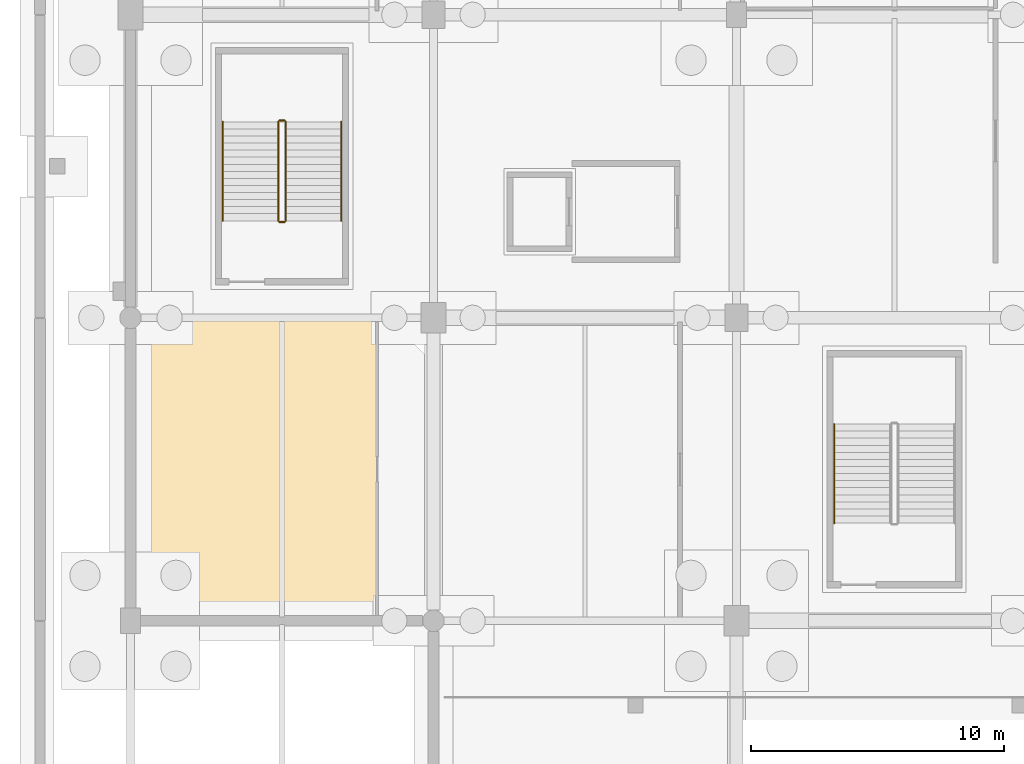
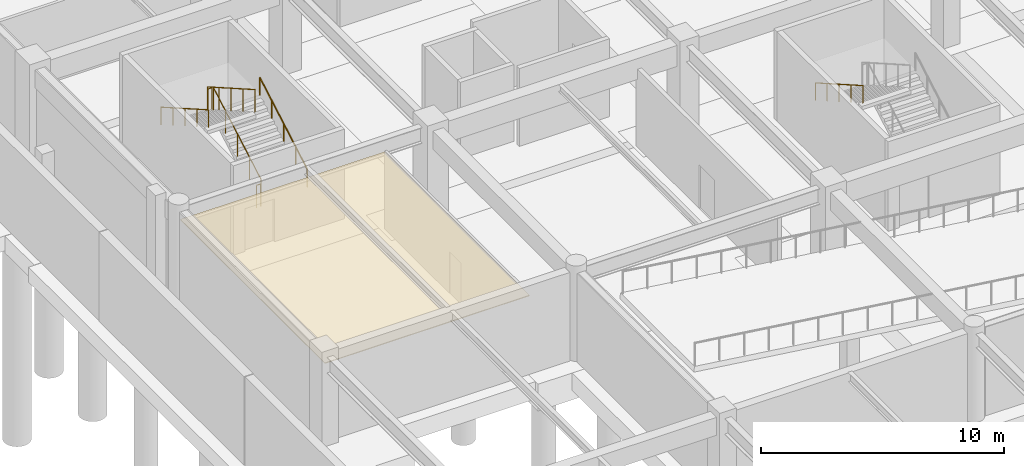
# One storey, part 43 of 56: 7 railings, 1 covering.
"""IFC4 building model written with IfcOpenShell, lengths in metres."""

from ifc_helpers import new_model, si_unit, direction, frame, origin, origin_2d, place, context, subcontext, project, spatial, polyline, circle, outline, extrude, material, layer, layer_set, type_object, element, save


model = new_model("IFC4")

# Units and contexts
model_context = context("Model", 3, precision=1e-05, world=origin(), true_north=direction((0.0, 1.0)))
body_context = subcontext(model_context, "Body", "Model", "MODEL_VIEW")
ifc_project = project(units=[si_unit("LENGTHUNIT", "METRE"), si_unit("AREAUNIT", "SQUARE_METRE"), si_unit("VOLUMEUNIT", "CUBIC_METRE"), si_unit("PLANEANGLEUNIT", "RADIAN"), si_unit("MASSUNIT", "GRAM", prefix="KILO")], contexts=[model_context])

# Site, building, storey
site_placement = place(None, origin())
site = spatial("IfcSite", under=ifc_project, at=site_placement, CompositionType="ELEMENT")
building_placement = place(site_placement, origin())
building = spatial("IfcBuilding", under=site, at=building_placement, Name="Kazenohara Klinker Stadium", CompositionType="ELEMENT")
storey_placement = place(building_placement, frame((0.0, 0.0, -4.800048828125)))
storey = spatial("IfcBuildingStorey", under=building, at=storey_placement, Name="B01", CompositionType="ELEMENT", Elevation=-4.800048828125)

# Covering
ifc_material_1 = material(Name="Slatted Hokkaido cedar acoustic baffle ceiling", Category="wood")
ifc_layer_1 = layer(ifc_material_1, 0.0400390625)
ifc_layer_set_1 = layer_set([ifc_layer_1], Name="Slatted Hokkaido cedar acoustic baffle ceiling")
covering_type = type_object("IfcCoveringType", Name="COV-CEIL-02", PredefinedType="CEILING", material=ifc_layer_set_1)
covering_placement = place(storey_placement, frame((0.0, 0.0, 3.739990234375)))
element("IfcCovering", 1, at=covering_placement, inside=storey, type_object=covering_type, Name="Suspended acoustic ceiling CL02 First-Team Athlete Changing Room B01-0002A", PredefinedType="CEILING", context=body_context, shape_type="SweptSolid", body=[
    extrude(outline(polyline([(0.06005859375, 24.0400390625), (9.7900390625, 24.0400390625), (9.7900390625, 35.9599609375), (0.06005859375, 35.9599609375), (0.06005859375, 24.0400390625)])), origin(), (0.0, 0.0, 1.0), 0.0400390625),
])

# Railings
ifc_material_2 = material(Name="Brushed stainless steel 304 handrail", Category="steel")
ifc_layer_2 = layer(ifc_material_2, 0.050048828125)
ifc_layer_set_2 = layer_set([ifc_layer_2], Name="Brushed stainless steel 304 handrail")
railing_type_1 = type_object("IfcRailingType", Name="RL-HND-900", PredefinedType="HANDRAIL", material=ifc_layer_set_2)
railing_1_placement = place(storey_placement, frame((8.35009765625, 39.840087890625, 0.16015625)))
element("IfcRailing", 2, at=railing_1_placement, inside=storey, type_object=railing_type_1, Name="B01 ST01 stair handrail 1", PredefinedType="HANDRAIL", context=body_context, shape_type="SweptSolid", body=[
    extrude(circle(Radius=0.02392578125, at=origin_2d()), frame((0.0, 0.0, 0.8759765625), z_axis=(0.0, 0.868239814368, 0.496144761885), x_axis=(-1.0, 0.0, 0.0)), (0.0, 0.0, 1.0), 4.514892578125),
    extrude(circle(Radius=0.02099609375, at=origin_2d()), origin(), (0.0, 0.0, 1.0), 0.851806640625),
    extrude(circle(Radius=0.02099609375, at=origin_2d()), frame((0.0, 0.97998046875, 0.56005859375)), (0.0, 0.0, 1.0), 0.851806640625),
    extrude(circle(Radius=0.02099609375, at=origin_2d()), frame((0.0, 1.9599609375, 1.1201171875)), (0.0, 0.0, 1.0), 0.851806640625),
    extrude(circle(Radius=0.02099609375, at=origin_2d()), frame((0.0, 2.93994140625, 1.679931640625)), (0.0, 0.0, 1.0), 0.851806640625),
    extrude(circle(Radius=0.02099609375, at=origin_2d()), frame((0.0, 3.919921875, 2.239990234375)), (0.0, 0.0, 1.0), 0.851806640625),
])
for number, where, name in (
    (3, (3.64990234375, 43.760009765625, 2.56005859375), "B01 ST01 stair handrail 2"),
    (4, (27.8701171875, 31.7900390625, 2.56005859375), "B01 ST07 stair handrail 2"),
):
    element("IfcRailing", number, at=place(storey_placement, frame(where)), inside=storey, type_object=railing_type_1, Name=name, PredefinedType="HANDRAIL", context=body_context, shape_type="SweptSolid", body=[
        extrude(circle(Radius=0.02392578125, at=origin_2d()), frame((0.0, 0.0, 0.8759765625), z_axis=(0.0, -0.868239814368, 0.496144761885), x_axis=(1.0, 0.0, 0.0)), (0.0, 0.0, 1.0), 4.514892578125),
        extrude(circle(Radius=0.02099609375, at=origin_2d()), origin(), (0.0, 0.0, 1.0), 0.851806640625),
        extrude(circle(Radius=0.02099609375, at=origin_2d()), frame((0.0, -0.97998046875, 0.56005859375)), (0.0, 0.0, 1.0), 0.851806640625),
        extrude(circle(Radius=0.02099609375, at=origin_2d()), frame((0.0, -1.9599609375, 1.1201171875)), (0.0, 0.0, 1.0), 0.851806640625),
        extrude(circle(Radius=0.02099609375, at=origin_2d()), frame((0.0, -2.93994140625, 1.679931640625)), (0.0, 0.0, 1.0), 0.851806640625),
        extrude(circle(Radius=0.02099609375, at=origin_2d()), frame((0.0, -3.919921875, 2.239990234375)), (0.0, 0.0, 1.0), 0.851806640625),
    ])
ifc_material_3 = material(Name="Painted steel stairwell guardrail", Category="steel")
ifc_layer_3 = layer(ifc_material_3, 0.06005859375)
ifc_layer_set_3 = layer_set([ifc_layer_3], Name="Painted steel stairwell guardrail")
railing_type_2 = type_object("IfcRailingType", Name="RL-STG-1120", PredefinedType="GUARDRAIL", material=ifc_layer_set_3)
railing_2_placement = place(storey_placement, frame((6.14990234375, 39.840087890625, 0.16015625)))
element("IfcRailing", 5, at=railing_2_placement, inside=storey, type_object=railing_type_2, Name="B01 ST01 stair guard 1", PredefinedType="GUARDRAIL", context=body_context, shape_type="SweptSolid", body=[
    extrude(circle(Radius=0.02392578125, at=origin_2d()), frame((0.0, 0.0, 1.1259765625), z_axis=(0.0, 0.868239814368, 0.496144761885), x_axis=(-1.0, 0.0, 0.0)), (0.0, 0.0, 1.0), 4.514892578125),
    extrude(circle(Radius=0.02099609375, at=origin_2d()), origin(), (0.0, 0.0, 1.0), 1.101806640625),
    extrude(circle(Radius=0.02099609375, at=origin_2d()), frame((0.0, 0.97998046875, 0.56005859375)), (0.0, 0.0, 1.0), 1.101806640625),
    extrude(circle(Radius=0.02099609375, at=origin_2d()), frame((0.0, 1.9599609375, 1.1201171875)), (0.0, 0.0, 1.0), 1.101806640625),
    extrude(circle(Radius=0.02099609375, at=origin_2d()), frame((0.0, 2.93994140625, 1.679931640625)), (0.0, 0.0, 1.0), 1.101806640625),
    extrude(circle(Radius=0.02099609375, at=origin_2d()), frame((0.0, 3.919921875, 2.239990234375)), (0.0, 0.0, 1.0), 1.101806640625),
])
railing_3_placement = place(storey_placement, frame((6.10009765625, 43.81005859375, 2.400146484375)))
element("IfcRailing", 6, at=railing_3_placement, inside=storey, type_object=railing_type_2, Name="B01 ST01 stair guard 2", PredefinedType="GUARDRAIL", context=body_context, shape_type="SweptSolid", body=[
    extrude(circle(Radius=0.02392578125, at=origin_2d()), frame((0.0, 0.0, 1.1259765625), z_axis=(-1.0, 0.0, 0.0), x_axis=(0.0, -1.0, 0.0)), (0.0, 0.0, 1.0), 0.2001953125),
    extrude(circle(Radius=0.02099609375, at=origin_2d()), origin(), (0.0, 0.0, 1.0), 1.101806640625),
    extrude(circle(Radius=0.02099609375, at=origin_2d()), frame((-0.2001953125, 0.0, 0.0)), (0.0, 0.0, 1.0), 1.101806640625),
])
railing_4_placement = place(storey_placement, frame((5.85009765625, 43.760009765625, 2.56005859375)))
element("IfcRailing", 7, at=railing_4_placement, inside=storey, type_object=railing_type_2, Name="B01 ST01 stair guard 3", PredefinedType="GUARDRAIL", context=body_context, shape_type="SweptSolid", body=[
    extrude(circle(Radius=0.02392578125, at=origin_2d()), frame((0.0, 0.0, 1.1259765625), z_axis=(0.0, -0.868239814368, 0.496144761885), x_axis=(1.0, 0.0, 0.0)), (0.0, 0.0, 1.0), 4.514892578125),
    extrude(circle(Radius=0.02099609375, at=origin_2d()), origin(), (0.0, 0.0, 1.0), 1.101806640625),
    extrude(circle(Radius=0.02099609375, at=origin_2d()), frame((0.0, -0.97998046875, 0.56005859375)), (0.0, 0.0, 1.0), 1.101806640625),
    extrude(circle(Radius=0.02099609375, at=origin_2d()), frame((0.0, -1.9599609375, 1.1201171875)), (0.0, 0.0, 1.0), 1.101806640625),
    extrude(circle(Radius=0.02099609375, at=origin_2d()), frame((0.0, -2.93994140625, 1.679931640625)), (0.0, 0.0, 1.0), 1.101806640625),
    extrude(circle(Radius=0.02099609375, at=origin_2d()), frame((0.0, -3.919921875, 2.239990234375)), (0.0, 0.0, 1.0), 1.101806640625),
])
railing_5_placement = place(storey_placement, frame((6.10009765625, 39.7900390625, 0.0)))
element("IfcRailing", 8, at=railing_5_placement, inside=storey, type_object=railing_type_2, Name="B01 ST01 stair guard 4", PredefinedType="GUARDRAIL", context=body_context, shape_type="SweptSolid", body=[
    extrude(circle(Radius=0.02392578125, at=origin_2d()), frame((0.0, 0.0, 1.1259765625), z_axis=(-1.0, 0.0, 0.0), x_axis=(0.0, -1.0, 0.0)), (0.0, 0.0, 1.0), 0.2001953125),
    extrude(circle(Radius=0.02099609375, at=origin_2d()), origin(), (0.0, 0.0, 1.0), 1.101806640625),
    extrude(circle(Radius=0.02099609375, at=origin_2d()), frame((-0.2001953125, 0.0, 0.0)), (0.0, 0.0, 1.0), 1.101806640625),
])

save(model, "model.ifc")
